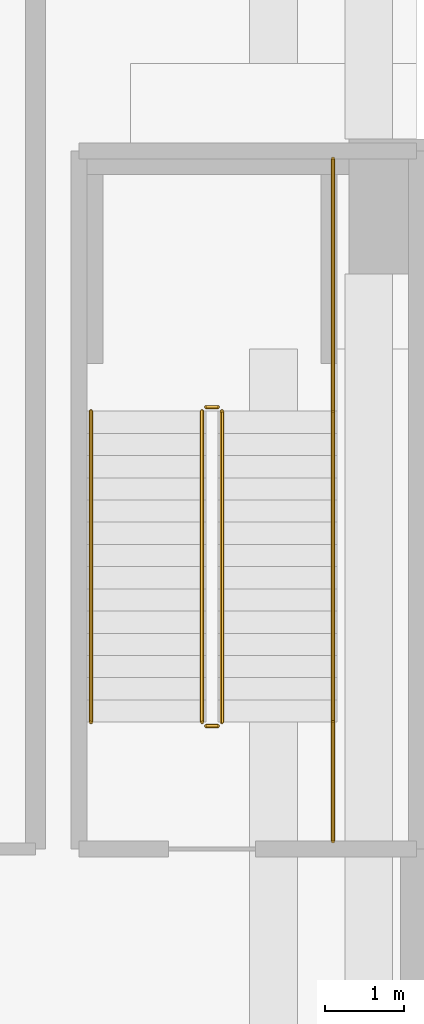
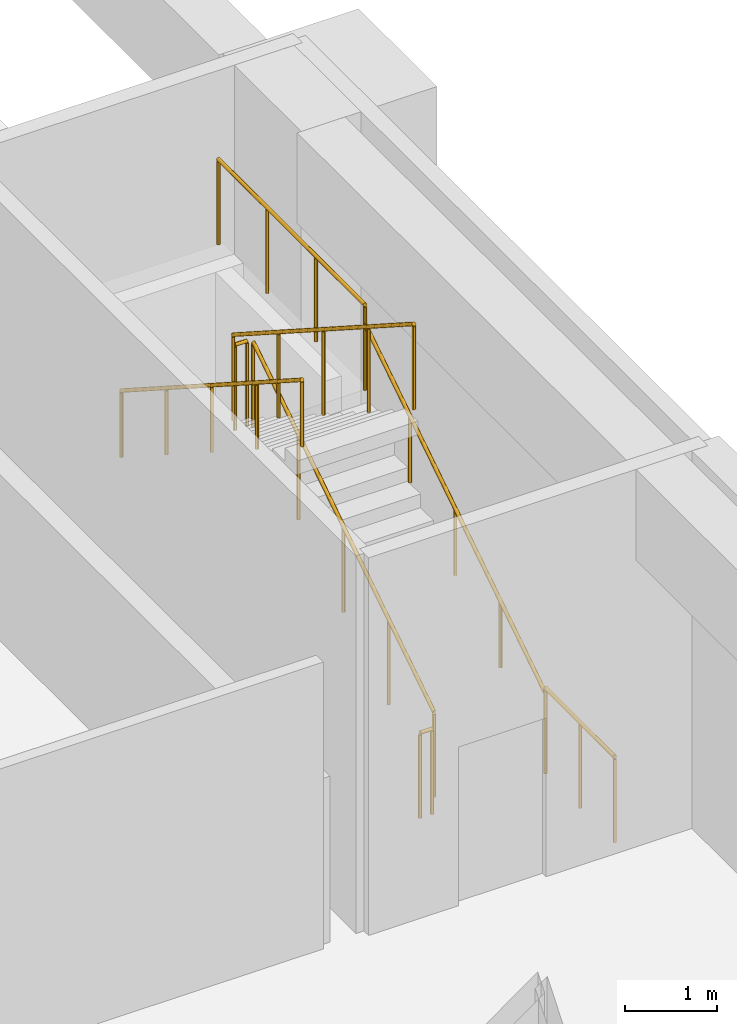
# One storey, part 17 of 20: 8 railings.
"""IFC4 building model written with IfcOpenShell, lengths in metres."""

from ifc_helpers import new_model, si_unit, direction, frame, origin, origin_2d, place, context, subcontext, project, spatial, circle, extrude, material, type_object, element, save


model = new_model("IFC4")

# Units and contexts
model_context = context("Model", 3, precision=1e-05, world=origin(), true_north=direction((0.0, 1.0)))
body_context = subcontext(model_context, "Body", "Model", "MODEL_VIEW")
ifc_project = project(units=[si_unit("LENGTHUNIT", "METRE"), si_unit("AREAUNIT", "SQUARE_METRE"), si_unit("VOLUMEUNIT", "CUBIC_METRE"), si_unit("PLANEANGLEUNIT", "RADIAN"), si_unit("MASSUNIT", "GRAM", prefix="KILO")], contexts=[model_context])

# Site, building, storey
site_placement = place(None, origin())
site = spatial("IfcSite", under=ifc_project, at=site_placement, CompositionType="ELEMENT")
building_placement = place(site_placement, origin())
building = spatial("IfcBuilding", under=site, at=building_placement, Name="Saffron Iwan Residences", CompositionType="ELEMENT")
storey_placement = place(building_placement, frame((0.0, 0.0, -5.39990234375)))
storey = spatial("IfcBuildingStorey", under=building, at=storey_placement, Name="B1", CompositionType="ELEMENT", Elevation=-5.39990234375)

# Railings
ifc_material = material(Name="Steel S355", Category="steel")
railing_type_1 = type_object("IfcRailingType", Name="Podium stair guard 1150", PredefinedType="GUARDRAIL", material=ifc_material)
railing_1_placement = place(storey_placement, frame((98.35009765625, 55.89990234375, 0.179931640625)))
element("IfcRailing", 1, at=railing_1_placement, inside=storey, type_object=railing_type_1, Name="B1 PS4 stair guard 1", PredefinedType="GUARDRAIL", context=body_context, shape_type="SweptSolid", body=[
    extrude(circle(Radius=0.02392578125, at=origin_2d()), frame((0.0, 0.0, 1.1259765625), z_axis=(0.0, 0.841186985886, 0.540744352514), x_axis=(-1.0, 0.0, 0.0)), (0.0, 0.0, 1.0), 4.660400390625),
    extrude(circle(Radius=0.02099609375, at=origin_2d()), origin(), (0.0, 0.0, 1.0), 1.101806640625),
    extrude(circle(Radius=0.02099609375, at=origin_2d()), frame((0.0, 0.97998046875, 0.6298828125)), (0.0, 0.0, 1.0), 1.101806640625),
    extrude(circle(Radius=0.02099609375, at=origin_2d()), frame((0.0, 1.9599609375, 1.260009765625)), (0.0, 0.0, 1.0), 1.101806640625),
    extrude(circle(Radius=0.02099609375, at=origin_2d()), frame((0.0, 2.940185546875, 1.89013671875)), (0.0, 0.0, 1.0), 1.101806640625),
    extrude(circle(Radius=0.02099609375, at=origin_2d()), frame((0.0, 3.920166015625, 2.52001953125)), (0.0, 0.0, 1.0), 1.101806640625),
])
railing_2_placement = place(storey_placement, frame((98.300048828125, 59.8701171875, 2.699951171875)))
element("IfcRailing", 2, at=railing_2_placement, inside=storey, type_object=railing_type_1, Name="B1 PS4 stair guard 2", PredefinedType="GUARDRAIL", context=body_context, shape_type="SweptSolid", body=[
    extrude(circle(Radius=0.02392578125, at=origin_2d()), frame((0.0, 0.0, 1.1259765625), z_axis=(-1.0, 0.0, 0.0), x_axis=(0.0, -1.0, 0.0)), (0.0, 0.0, 1.0), 0.150146484375),
    extrude(circle(Radius=0.02099609375, at=origin_2d()), origin(), (0.0, 0.0, 1.0), 1.101806640625),
    extrude(circle(Radius=0.02099609375, at=origin_2d()), frame((-0.150146484375, 0.0, 0.0)), (0.0, 0.0, 1.0), 1.101806640625),
])
railing_3_placement = place(storey_placement, frame((99.75, 59.820068359375, 2.699951171875)))
element("IfcRailing", 3, at=railing_3_placement, inside=storey, type_object=railing_type_1, Name="B1 PS4 stair guard 3", PredefinedType="GUARDRAIL", context=body_context, shape_type="SweptSolid", body=[
    extrude(circle(Radius=0.02392578125, at=origin_2d()), frame((0.0, 0.0, 1.1259765625), z_axis=(0.0, 1.0, 0.0), x_axis=(-1.0, 0.0, 0.0)), (0.0, 0.0, 1.0), 3.179931640625),
    extrude(circle(Radius=0.02099609375, at=origin_2d()), origin(), (0.0, 0.0, 1.0), 1.101806640625),
    extrude(circle(Radius=0.02099609375, at=origin_2d()), frame((0.0, 1.06005859375, 0.0)), (0.0, 0.0, 1.0), 1.101806640625),
    extrude(circle(Radius=0.02099609375, at=origin_2d()), frame((0.0, 2.119873046875, 0.0)), (0.0, 0.0, 1.0), 1.101806640625),
    extrude(circle(Radius=0.02099609375, at=origin_2d()), frame((0.0, 3.179931640625, 0.0)), (0.0, 0.0, 1.0), 1.101806640625),
])
railing_4_placement = place(storey_placement, frame((98.10009765625, 59.820068359375, 2.8798828125)))
element("IfcRailing", 4, at=railing_4_placement, inside=storey, type_object=railing_type_1, Name="B1 PS4 stair guard 4", PredefinedType="GUARDRAIL", context=body_context, shape_type="SweptSolid", body=[
    extrude(circle(Radius=0.02392578125, at=origin_2d()), frame((0.0, 0.0, 1.1259765625), z_axis=(0.0, -0.841186985886, 0.540744352514), x_axis=(1.0, 0.0, 0.0)), (0.0, 0.0, 1.0), 4.660400390625),
    extrude(circle(Radius=0.02099609375, at=origin_2d()), origin(), (0.0, 0.0, 1.0), 1.101806640625),
    extrude(circle(Radius=0.02099609375, at=origin_2d()), frame((0.0, -0.97998046875, 0.6298828125)), (0.0, 0.0, 1.0), 1.101806640625),
    extrude(circle(Radius=0.02099609375, at=origin_2d()), frame((0.0, -1.9599609375, 1.260009765625)), (0.0, 0.0, 1.0), 1.101806640625),
    extrude(circle(Radius=0.02099609375, at=origin_2d()), frame((0.0, -2.940185546875, 1.89013671875)), (0.0, 0.0, 1.0), 1.101806640625),
    extrude(circle(Radius=0.02099609375, at=origin_2d()), frame((0.0, -3.920166015625, 2.52001953125)), (0.0, 0.0, 1.0), 1.101806640625),
])
railing_5_placement = place(storey_placement, frame((98.300048828125, 55.85009765625, 0.0)))
element("IfcRailing", 5, at=railing_5_placement, inside=storey, type_object=railing_type_1, Name="B1 PS4 stair guard 5", PredefinedType="GUARDRAIL", context=body_context, shape_type="SweptSolid", body=[
    extrude(circle(Radius=0.02392578125, at=origin_2d()), frame((0.0, 0.0, 1.1259765625), z_axis=(-1.0, 0.0, 0.0), x_axis=(0.0, -1.0, 0.0)), (0.0, 0.0, 1.0), 0.150146484375),
    extrude(circle(Radius=0.02099609375, at=origin_2d()), origin(), (0.0, 0.0, 1.0), 1.101806640625),
    extrude(circle(Radius=0.02099609375, at=origin_2d()), frame((-0.150146484375, 0.0, 0.0)), (0.0, 0.0, 1.0), 1.101806640625),
])
railing_6_placement = place(storey_placement, frame((99.75, 54.39990234375, 0.0)))
element("IfcRailing", 6, at=railing_6_placement, inside=storey, type_object=railing_type_1, Name="B1 PS4 stair guard 6", PredefinedType="GUARDRAIL", context=body_context, shape_type="SweptSolid", body=[
    extrude(circle(Radius=0.02392578125, at=origin_2d()), frame((0.0, 0.0, 1.1259765625), z_axis=(0.0, 1.0, 0.0), x_axis=(-1.0, 0.0, 0.0)), (0.0, 0.0, 1.0), 1.5),
    extrude(circle(Radius=0.02099609375, at=origin_2d()), origin(), (0.0, 0.0, 1.0), 1.101806640625),
    extrude(circle(Radius=0.02099609375, at=origin_2d()), frame((0.0, 0.75, 0.0)), (0.0, 0.0, 1.0), 1.101806640625),
    extrude(circle(Radius=0.02099609375, at=origin_2d()), frame((0.0, 1.5, 0.0)), (0.0, 0.0, 1.0), 1.101806640625),
])
railing_type_2 = type_object("IfcRailingType", Name="Podium stair handrail 900", PredefinedType="HANDRAIL", material=ifc_material)
railing_7_placement = place(storey_placement, frame((99.75, 55.89990234375, 0.179931640625)))
element("IfcRailing", 7, at=railing_7_placement, inside=storey, type_object=railing_type_2, Name="B1 PS4 stair handrail 1", PredefinedType="HANDRAIL", context=body_context, shape_type="SweptSolid", body=[
    extrude(circle(Radius=0.02392578125, at=origin_2d()), frame((0.0, 0.0, 0.8759765625), z_axis=(0.0, 0.841186985886, 0.540744352514), x_axis=(-1.0, 0.0, 0.0)), (0.0, 0.0, 1.0), 4.660400390625),
    extrude(circle(Radius=0.02099609375, at=origin_2d()), origin(), (0.0, 0.0, 1.0), 0.851806640625),
    extrude(circle(Radius=0.02099609375, at=origin_2d()), frame((0.0, 0.97998046875, 0.6298828125)), (0.0, 0.0, 1.0), 0.851806640625),
    extrude(circle(Radius=0.02099609375, at=origin_2d()), frame((0.0, 1.9599609375, 1.260009765625)), (0.0, 0.0, 1.0), 0.851806640625),
    extrude(circle(Radius=0.02099609375, at=origin_2d()), frame((0.0, 2.940185546875, 1.89013671875)), (0.0, 0.0, 1.0), 0.851806640625),
    extrude(circle(Radius=0.02099609375, at=origin_2d()), frame((0.0, 3.920166015625, 2.52001953125)), (0.0, 0.0, 1.0), 0.851806640625),
])
railing_8_placement = place(storey_placement, frame((96.699951171875, 59.820068359375, 2.8798828125)))
element("IfcRailing", 8, at=railing_8_placement, inside=storey, type_object=railing_type_2, Name="B1 PS4 stair handrail 2", PredefinedType="HANDRAIL", context=body_context, shape_type="SweptSolid", body=[
    extrude(circle(Radius=0.02392578125, at=origin_2d()), frame((0.0, 0.0, 0.8759765625), z_axis=(0.0, -0.841186985886, 0.540744352514), x_axis=(1.0, 0.0, 0.0)), (0.0, 0.0, 1.0), 4.660400390625),
    extrude(circle(Radius=0.02099609375, at=origin_2d()), origin(), (0.0, 0.0, 1.0), 0.851806640625),
    extrude(circle(Radius=0.02099609375, at=origin_2d()), frame((0.0, -0.97998046875, 0.6298828125)), (0.0, 0.0, 1.0), 0.851806640625),
    extrude(circle(Radius=0.02099609375, at=origin_2d()), frame((0.0, -1.9599609375, 1.260009765625)), (0.0, 0.0, 1.0), 0.851806640625),
    extrude(circle(Radius=0.02099609375, at=origin_2d()), frame((0.0, -2.940185546875, 1.89013671875)), (0.0, 0.0, 1.0), 0.851806640625),
    extrude(circle(Radius=0.02099609375, at=origin_2d()), frame((0.0, -3.920166015625, 2.52001953125)), (0.0, 0.0, 1.0), 0.851806640625),
])

save(model, "model.ifc")
